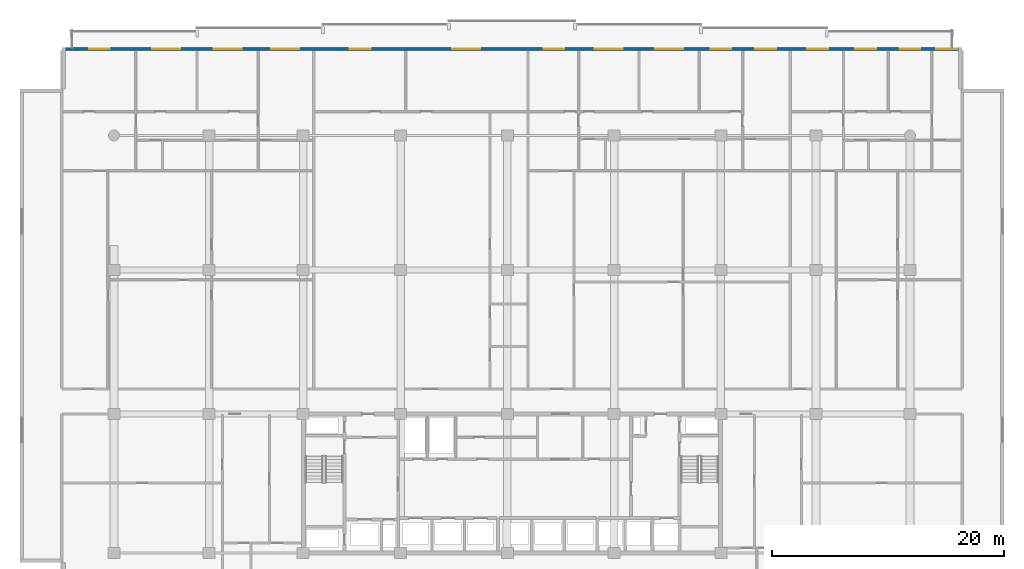
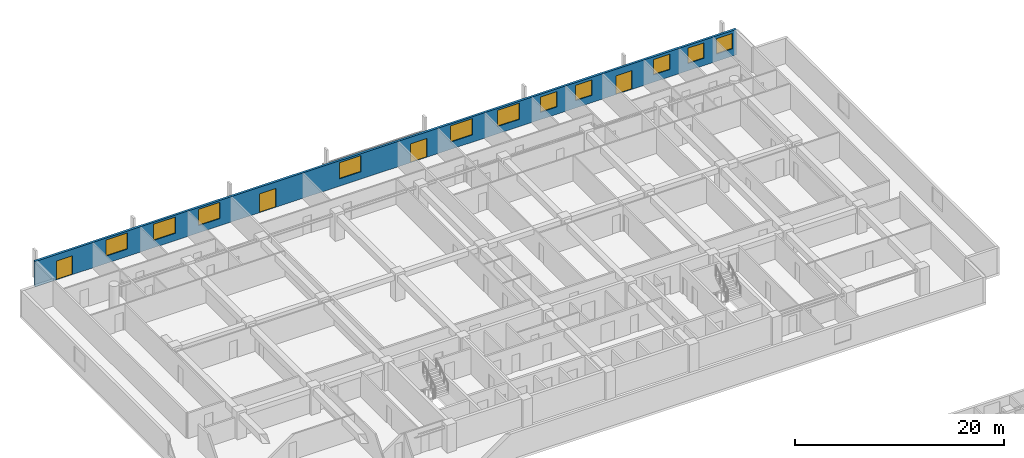
# One storey, part 16 of 23: 11 windows, 4 doors, 1 wall, 15 openings.
"""IFC4 building model written with IfcOpenShell, lengths in metres."""

import ifcopenshell
import ifcopenshell.guid

model = None  # the IFC model being written
_history = None  # IfcOwnerHistory: only IFC2X3 demands one
_inside = {}  # id of a spatial element -> (the spatial element, [elements in it])
_under = {}  # id of a project, library or spatial element -> (it, [spatial elements below it])
_declared = {}  # id of a project -> (the project, [libraries it declares])
_typed = {}  # id of a type object -> (the type object, [elements of that type])
_made_of = {}  # id of a material, layer set ... -> (it, [elements and type objects made of it])


def new_model(schema):
    """Start an empty IFC model of exactly this schema.

    Asked for "IFC4X3", IfcOpenShell would pick the latest addendum, in which some entities
    have other attributes; the version numbers below select the first issue.
    IFC2X3 requires an IfcOwnerHistory on every rooted entity: one is made here for all.
    """
    global model, _history
    if schema == "IFC4X3":
        model = ifcopenshell.file(schema_version=(4, 3, 0, 0))
    else:
        model = ifcopenshell.file(schema=schema)
    _inside.clear()
    _under.clear()
    _declared.clear()
    _typed.clear()
    _made_of.clear()
    _history = None
    if model.schema == "IFC2X3":
        org = make("IfcOrganization", Name="unknown")
        user = make(
            "IfcPersonAndOrganization",
            ThePerson=make("IfcPerson", FamilyName="unknown"),
            TheOrganization=org,
        )
        app = make(
            "IfcApplication",
            ApplicationDeveloper=org,
            Version="unknown",
            ApplicationFullName="unknown",
            ApplicationIdentifier="unknown",
        )
        _history = make(
            "IfcOwnerHistory",
            OwningUser=user,
            OwningApplication=app,
            ChangeAction="ADDED",
            CreationDate=0,
        )
    return model


def make(cls, **values):
    """One entity of the class cls with the attributes given. An attribute that is None is left unset."""
    return model.create_entity(
        cls, **{name: value for name, value in values.items() if value is not None}
    )


def rooted(cls, **values):
    """An entity with a GlobalId (a new one), such as an element, a storey or a relation."""
    return make(cls, GlobalId=ifcopenshell.guid.new(), OwnerHistory=_history, **values)


def si_unit(unit_type, name, prefix=None):
    """IfcSIUnit, for example si_unit("LENGTHUNIT", "METRE", prefix="MILLI")."""
    return make("IfcSIUnit", UnitType=unit_type, Prefix=prefix, Name=name)


def assignment(units):
    """IfcUnitAssignment: the units of a project."""
    return None if units is None else make("IfcUnitAssignment", Units=units)


def point(xyz):
    """IfcCartesianPoint."""
    return None if xyz is None else make("IfcCartesianPoint", Coordinates=xyz)


def direction(xyz):
    """IfcDirection."""
    return None if xyz is None else make("IfcDirection", DirectionRatios=xyz)


def frame(location, z_axis=None, x_axis=None):
    """IfcAxis2Placement3D, a coordinate frame: its origin and axes. An axis left out is left unset."""
    return make(
        "IfcAxis2Placement3D",
        Location=point(location),
        Axis=direction(z_axis),
        RefDirection=direction(x_axis),
    )


def frame_2d(location, x_axis=None):
    """IfcAxis2Placement2D, a coordinate frame in the plane: its origin and x axis."""
    return make(
        "IfcAxis2Placement2D", Location=point(location), RefDirection=direction(x_axis)
    )


def origin():
    """The frame at (0, 0, 0) with its axes left unset."""
    return frame((0.0, 0.0, 0.0))


def place(relative_to, where):
    """IfcLocalPlacement: puts the frame where relative to a parent placement (None: the world)."""
    return make(
        "IfcLocalPlacement", PlacementRelTo=relative_to, RelativePlacement=where
    )


def context(
    kind, dimensions, precision=None, world=None, true_north=None, identifier=None
):
    """IfcGeometricRepresentationContext, for example the 3D "Model" context."""
    return make(
        "IfcGeometricRepresentationContext",
        ContextIdentifier=identifier,
        ContextType=kind,
        CoordinateSpaceDimension=dimensions,
        Precision=precision,
        WorldCoordinateSystem=world,
        TrueNorth=true_north,
    )


def subcontext(parent, identifier, kind, view, scale=None):
    """IfcGeometricRepresentationSubContext, for example "Body" below "Model"."""
    return make(
        "IfcGeometricRepresentationSubContext",
        ContextIdentifier=identifier,
        ContextType=kind,
        ParentContext=parent,
        TargetScale=scale,
        TargetView=view,
    )


def project(units=None, contexts=None):
    """IfcProject with its units and contexts."""
    return rooted(
        "IfcProject",
        Name="project",
        RepresentationContexts=contexts,
        UnitsInContext=assignment(units),
    )


def spatial(cls, under=None, at=None, **own):
    """A site, building, storey or space (cls), placed at a placement, below another one or the project."""
    s = rooted(cls, ObjectPlacement=at, **own)
    if under is not None:
        _under.setdefault(under.id(), (under, []))[1].append(s)
    return s


def profile(cls, at=None, kind="AREA", **sizes):
    """A parametric profile (cls). Its sizes go by their IFC names, for example OverallWidth=200.0."""
    return make(cls, ProfileType=kind, Position=at, **sizes)


def rectangle(**sizes):
    """IfcRectangleProfileDef."""
    return profile("IfcRectangleProfileDef", **sizes)


def extrude(swept, where, along, depth):
    """IfcExtrudedAreaSolid: the profile swept, set in the frame where, extruded along a direction by depth."""
    return make(
        "IfcExtrudedAreaSolid",
        SweptArea=swept,
        Position=where,
        ExtrudedDirection=direction(along),
        Depth=depth,
    )


def shape(context_of_items, identifier, shape_type, items):
    """IfcShapeRepresentation: the items that make up one representation, for example the "Body"."""
    return make(
        "IfcShapeRepresentation",
        ContextOfItems=context_of_items,
        RepresentationIdentifier=identifier,
        RepresentationType=shape_type,
        Items=items,
    )


def material(Name=None, Category=None):
    """IfcMaterial."""
    return make("IfcMaterial", Name=Name, Category=Category)


def layer(
    of_material, thickness, ventilated=None, Name=None, Category=None, Priority=None
):
    """IfcMaterialLayer: one layer of a wall or slab, of a material (None: an air gap)."""
    return make(
        "IfcMaterialLayer",
        Material=of_material,
        LayerThickness=thickness,
        IsVentilated=ventilated,
        Name=Name,
        Category=Category,
        Priority=Priority,
    )


def layer_set(layers, Name=None):
    """IfcMaterialLayerSet."""
    return make("IfcMaterialLayerSet", MaterialLayers=layers, LayerSetName=Name)


def made_of(thing, what):
    """Note that an element or type object is made of a material, layer set ...; save() writes the relation."""
    if what is not None:
        _made_of.setdefault(what.id(), (what, []))[1].append(thing)
    return thing


def type_object(cls, material=None, **own):
    """A type object (cls), such as IfcWallType, which elements share."""
    return made_of(rooted(cls, **own), material)


def element(
    cls,
    number,
    at=None,
    inside=None,
    cuts=None,
    type_object=None,
    material=None,
    context=None,
    identifier="Body",
    shape_type=None,
    held_by="IfcProductDefinitionShape",
    body=None,
    shapes=None,
    **own,
):
    """One element of the class cls, such as IfcWall. Its Tag is "e" and its number.

    at: its placement. inside: the storey or other place that contains it. cuts: it is an
    opening in that element (IfcRelVoidsElement). A single representation is given by context,
    identifier, shape_type and body (its items); several are given by shapes. held_by: the class
    of the entity that holds the representations. save() writes the other relations.
    """
    e = rooted(cls, Tag="e%d" % number, ObjectPlacement=at, **own)
    if body is not None:
        shapes = [shape(context, identifier, shape_type, body)]
    if shapes is not None:
        e.Representation = make(held_by, Representations=shapes)
    if inside is not None:
        _inside.setdefault(inside.id(), (inside, []))[1].append(e)
    if cuts is not None:
        rooted(
            "IfcRelVoidsElement", RelatingBuildingElement=cuts, RelatedOpeningElement=e
        )
    if type_object is not None:
        _typed.setdefault(type_object.id(), (type_object, []))[1].append(e)
    return made_of(e, material)


def fill(opening, filler):
    """IfcRelFillsElement: the door or window that sits in an opening."""
    return rooted(
        "IfcRelFillsElement",
        RelatingOpeningElement=opening,
        RelatedBuildingElement=filler,
    )


def aggregate(whole, parts):
    """IfcRelAggregates: a whole, such as a stair, and the parts it consists of."""
    return rooted("IfcRelAggregates", RelatingObject=whole, RelatedObjects=parts)


def save(model, path):
    """Write the relations noted so far, then the file.

    IfcRelAggregates (storeys below a building ...), IfcRelContainedInSpatialStructure (elements
    in a storey), IfcRelDefinesByType, IfcRelAssociatesMaterial and IfcRelDeclares: one each for
    every whole, place, type object, material and project.
    """
    for whole, parts in _under.values():
        aggregate(whole, parts)
    for where, things in _inside.values():
        rooted(
            "IfcRelContainedInSpatialStructure",
            RelatedElements=things,
            RelatingStructure=where,
        )
    for kind, things in _typed.values():
        rooted("IfcRelDefinesByType", RelatedObjects=things, RelatingType=kind)
    for what, things in _made_of.values():
        rooted("IfcRelAssociatesMaterial", RelatedObjects=things, RelatingMaterial=what)
    for by, libraries in _declared.values():
        rooted("IfcRelDeclares", RelatingContext=by, RelatedDefinitions=libraries)
    model.write(path)


model = new_model("IFC4")

# Units and contexts
model_context = context("Model", 3, precision=1e-05, world=origin(), true_north=direction((0.0, 1.0)))
body_context = subcontext(model_context, "Body", "Model", "MODEL_VIEW")
ifc_project = project(units=[si_unit("LENGTHUNIT", "METRE"), si_unit("AREAUNIT", "SQUARE_METRE"), si_unit("VOLUMEUNIT", "CUBIC_METRE"), si_unit("PLANEANGLEUNIT", "RADIAN"), si_unit("MASSUNIT", "GRAM", prefix="KILO")], contexts=[model_context])

# Site, building, storey
site_placement = place(None, origin())
site = spatial("IfcSite", under=ifc_project, at=site_placement, CompositionType="ELEMENT")
building_placement = place(site_placement, origin())
building = spatial("IfcBuilding", under=site, at=building_placement, Name="Korimba Cascade Residences", CompositionType="ELEMENT")
storey_placement = place(building_placement, frame((0.0, 0.0, 53.25)))
storey = spatial("IfcBuildingStorey", under=building, at=storey_placement, Name="L14", CompositionType="ELEMENT", Elevation=53.25)

# Wall, openings, doors, windows
ifc_material_1 = material(Name="Precast concrete C40/50", Category="concrete")
ifc_layer = layer(ifc_material_1, 0.25)
ifc_layer_set = layer_set([ifc_layer], Name="Precast concrete C40/50")
wall_type = type_object("IfcWallType", Name="EW-LOG-250", PredefinedType="STANDARD", material=ifc_layer_set)
wall_placement = place(storey_placement, frame((132.89990234375, 98.64990234375, 0.0), z_axis=(0.0, 0.0, 1.0), x_axis=(-1.0, 0.0, 0.0)))
wall = element("IfcWall", 1, at=wall_placement, inside=storey, type_object=wall_type, Name="L14 T1 Perimeter Stone Wall E06", PredefinedType="STANDARD", context=body_context, shape_type="SweptSolid", body=[
    extrude(rectangle(XDim=77.599853515625, YDim=0.25, at=frame_2d((38.7998046875, 0.0))), origin(), (0.0, 0.0, 1.0), 2.969970703125),
])
opening_1_placement = place(wall_placement, frame((67.381591796875, 0.0, 0.85009765625)))
opening_1 = element("IfcOpeningElement", 2, at=opening_1_placement, cuts=wall, Name="Opening W-01", PredefinedType="OPENING", context=body_context, shape_type="SweptSolid", body=[
    extrude(rectangle(XDim=2.39990234375, YDim=1.89990234375, at=frame_2d((1.199951171875, 0.949951171875))), frame((0.0, 0.135009765625, 0.0), z_axis=(0.0, -1.0, 0.0), x_axis=(1.0, 0.0, 0.0)), (0.0, 0.0, 1.0), 0.27001953125),
])
opening_2_placement = place(wall_placement, frame((62.10498046875, 0.0, 0.85009765625)))
opening_2 = element("IfcOpeningElement", 3, at=opening_2_placement, cuts=wall, Name="Opening W-01", PredefinedType="OPENING", context=body_context, shape_type="SweptSolid", body=[
    extrude(rectangle(XDim=2.39990234375, YDim=1.89990234375, at=frame_2d((1.199951171875, 0.949951171875))), frame((0.0, 0.135009765625, 0.0), z_axis=(0.0, -1.0, 0.0), x_axis=(1.0, 0.0, 0.0)), (0.0, 0.0, 1.0), 0.27001953125),
])
opening_3_placement = place(wall_placement, frame((73.449951171875, 0.0, 0.0)))
opening_3 = element("IfcOpeningElement", 4, at=opening_3_placement, cuts=wall, Name="Opening D-LG1", PredefinedType="OPENING", context=body_context, shape_type="SweptSolid", body=[
    extrude(rectangle(XDim=1.800048828125, YDim=2.199951171875, at=frame_2d((0.89990234375, 1.10009765625))), frame((0.0, 0.135009765625, 0.0), z_axis=(0.0, -1.0, 0.0), x_axis=(1.0, 0.0, 0.0)), (0.0, 0.0, 1.0), 0.27001953125),
])
opening_4_placement = place(wall_placement, frame((57.1416015625, 0.0, 0.85009765625)))
opening_4 = element("IfcOpeningElement", 5, at=opening_4_placement, cuts=wall, Name="Opening W-01", PredefinedType="OPENING", context=body_context, shape_type="SweptSolid", body=[
    extrude(rectangle(XDim=2.39990234375, YDim=1.89990234375, at=frame_2d((1.199951171875, 0.949951171875))), frame((0.0, 0.135009765625, 0.0), z_axis=(0.0, -1.0, 0.0), x_axis=(1.0, 0.0, 0.0)), (0.0, 0.0, 1.0), 0.27001953125),
])
opening_5_placement = place(wall_placement, frame((50.970703125, 0.0, 0.0)))
opening_5 = element("IfcOpeningElement", 6, at=opening_5_placement, cuts=wall, Name="Opening D-LG1", PredefinedType="OPENING", context=body_context, shape_type="SweptSolid", body=[
    extrude(rectangle(XDim=1.800048828125, YDim=2.199951171875, at=frame_2d((0.89990234375, 1.10009765625))), frame((0.0, 0.135009765625, 0.0), z_axis=(0.0, -1.0, 0.0), x_axis=(1.0, 0.0, 0.0)), (0.0, 0.0, 1.0), 0.27001953125),
])
opening_6_placement = place(wall_placement, frame((41.5537109375, 0.0, 0.85009765625)))
opening_6 = element("IfcOpeningElement", 7, at=opening_6_placement, cuts=wall, Name="Opening W-01", PredefinedType="OPENING", context=body_context, shape_type="SweptSolid", body=[
    extrude(rectangle(XDim=2.39990234375, YDim=1.89990234375, at=frame_2d((1.199951171875, 0.949951171875))), frame((0.0, 0.135009765625, 0.0), z_axis=(0.0, -1.0, 0.0), x_axis=(1.0, 0.0, 0.0)), (0.0, 0.0, 1.0), 0.27001953125),
])
opening_7_placement = place(wall_placement, frame((29.252685546875, 0.0, 0.85009765625)))
opening_7 = element("IfcOpeningElement", 8, at=opening_7_placement, cuts=wall, Name="Opening W-01", PredefinedType="OPENING", context=body_context, shape_type="SweptSolid", body=[
    extrude(rectangle(XDim=2.39990234375, YDim=1.89990234375, at=frame_2d((1.199951171875, 0.949951171875))), frame((0.0, 0.135009765625, 0.0), z_axis=(0.0, -1.0, 0.0), x_axis=(1.0, 0.0, 0.0)), (0.0, 0.0, 1.0), 0.27001953125),
])
opening_8_placement = place(wall_placement, frame((24.052734375, 0.0, 0.85009765625)))
opening_8 = element("IfcOpeningElement", 9, at=opening_8_placement, cuts=wall, Name="Opening W-01", PredefinedType="OPENING", context=body_context, shape_type="SweptSolid", body=[
    extrude(rectangle(XDim=2.39990234375, YDim=1.89990234375, at=frame_2d((1.199951171875, 0.949951171875))), frame((0.0, 0.135009765625, 0.0), z_axis=(0.0, -1.0, 0.0), x_axis=(1.0, 0.0, 0.0)), (0.0, 0.0, 1.0), 0.27001953125),
])
opening_9_placement = place(wall_placement, frame((19.88623046875, 0.0, 0.85009765625)))
opening_9 = element("IfcOpeningElement", 10, at=opening_9_placement, cuts=wall, Name="Opening W-02", PredefinedType="OPENING", context=body_context, shape_type="SweptSolid", body=[
    extrude(rectangle(XDim=1.800048828125, YDim=1.800048828125, at=frame_2d((0.89990234375, 0.89990234375))), frame((0.0, 0.135009765625, 0.0), z_axis=(0.0, -1.0, 0.0), x_axis=(1.0, 0.0, 0.0)), (0.0, 0.0, 1.0), 0.27001953125),
])
opening_10_placement = place(wall_placement, frame((34.277587890625, 0.0, 0.0)))
opening_10 = element("IfcOpeningElement", 11, at=opening_10_placement, cuts=wall, Name="Opening D-LG1", PredefinedType="OPENING", context=body_context, shape_type="SweptSolid", body=[
    extrude(rectangle(XDim=1.800048828125, YDim=2.199951171875, at=frame_2d((0.89990234375, 1.10009765625))), frame((0.0, 0.135009765625, 0.0), z_axis=(0.0, -1.0, 0.0), x_axis=(1.0, 0.0, 0.0)), (0.0, 0.0, 1.0), 0.27001953125),
])
opening_11_placement = place(wall_placement, frame((16.0283203125, 0.0, 0.85009765625)))
opening_11 = element("IfcOpeningElement", 12, at=opening_11_placement, cuts=wall, Name="Opening W-02", PredefinedType="OPENING", context=body_context, shape_type="SweptSolid", body=[
    extrude(rectangle(XDim=1.800048828125, YDim=1.800048828125, at=frame_2d((0.89990234375, 0.89990234375))), frame((0.0, 0.135009765625, 0.0), z_axis=(0.0, -1.0, 0.0), x_axis=(1.0, 0.0, 0.0)), (0.0, 0.0, 1.0), 0.27001953125),
])
opening_12_placement = place(wall_placement, frame((7.408447265625, 0.0, 0.85009765625)))
opening_12 = element("IfcOpeningElement", 13, at=opening_12_placement, cuts=wall, Name="Opening W-02", PredefinedType="OPENING", context=body_context, shape_type="SweptSolid", body=[
    extrude(rectangle(XDim=1.800048828125, YDim=1.800048828125, at=frame_2d((0.89990234375, 0.89990234375))), frame((0.0, 0.135009765625, 0.0), z_axis=(0.0, -1.0, 0.0), x_axis=(1.0, 0.0, 0.0)), (0.0, 0.0, 1.0), 0.27001953125),
])
opening_13_placement = place(wall_placement, frame((3.60009765625, 0.0, 0.85009765625)))
opening_13 = element("IfcOpeningElement", 14, at=opening_13_placement, cuts=wall, Name="Opening W-02", PredefinedType="OPENING", context=body_context, shape_type="SweptSolid", body=[
    extrude(rectangle(XDim=1.800048828125, YDim=1.800048828125, at=frame_2d((0.89990234375, 0.89990234375))), frame((0.0, 0.135009765625, 0.0), z_axis=(0.0, -1.0, 0.0), x_axis=(1.0, 0.0, 0.0)), (0.0, 0.0, 1.0), 0.27001953125),
])
opening_14_placement = place(wall_placement, frame((11.56689453125, 0.0, 0.0)))
opening_14 = element("IfcOpeningElement", 15, at=opening_14_placement, cuts=wall, Name="Opening D-LG1", PredefinedType="OPENING", context=body_context, shape_type="SweptSolid", body=[
    extrude(rectangle(XDim=1.800048828125, YDim=2.199951171875, at=frame_2d((0.89990234375, 1.10009765625))), frame((0.0, 0.135009765625, 0.0), z_axis=(0.0, -1.0, 0.0), x_axis=(1.0, 0.0, 0.0)), (0.0, 0.0, 1.0), 0.27001953125),
])
opening_15_placement = place(wall_placement, frame((0.445068359375, 0.0, 0.85009765625)))
opening_15 = element("IfcOpeningElement", 16, at=opening_15_placement, cuts=wall, Name="Opening W-02", PredefinedType="OPENING", context=body_context, shape_type="SweptSolid", body=[
    extrude(rectangle(XDim=1.800048828125, YDim=1.800048828125, at=frame_2d((0.89990234375, 0.89990234375))), frame((0.0, 0.135009765625, 0.0), z_axis=(0.0, -1.0, 0.0), x_axis=(1.0, 0.0, 0.0)), (0.0, 0.0, 1.0), 0.27001953125),
])
ifc_material_2 = material(Name="Glazed Aluminium Loggia Sliding Door", Category="aluminium")
door_type = type_object("IfcDoorType", Name="DR-EXT-LOG", OperationType="NOTDEFINED", PredefinedType="DOOR", material=ifc_material_2)
door_1_placement = place(opening_3_placement, origin())
door_1 = element("IfcDoor", 17, at=door_1_placement, inside=storey, type_object=door_type, Name="L14 T1 Loggia Sliding Door 5", OperationType="SLIDING_TO_LEFT", OverallHeight=2.199951171875, OverallWidth=1.800048828125, PredefinedType="DOOR", context=body_context, shape_type="SweptSolid", body=[
    extrude(rectangle(XDim=1.800048828125, YDim=2.199951171875, at=frame_2d((0.89990234375, 1.10009765625))), frame((0.0, 0.02490234375, 0.0), z_axis=(0.0, -1.0, 0.0), x_axis=(1.0, 0.0, 0.0)), (0.0, 0.0, 1.0), 0.050048828125),
])
fill(opening_3, door_1)
door_2_placement = place(opening_5_placement, origin())
door_2 = element("IfcDoor", 18, at=door_2_placement, inside=storey, type_object=door_type, Name="L14 T1 Loggia Sliding Door 7", OperationType="SLIDING_TO_LEFT", OverallHeight=2.199951171875, OverallWidth=1.800048828125, PredefinedType="DOOR", context=body_context, shape_type="SweptSolid", body=[
    extrude(rectangle(XDim=1.800048828125, YDim=2.199951171875, at=frame_2d((0.89990234375, 1.10009765625))), frame((0.0, 0.02490234375, 0.0), z_axis=(0.0, -1.0, 0.0), x_axis=(1.0, 0.0, 0.0)), (0.0, 0.0, 1.0), 0.050048828125),
])
fill(opening_5, door_2)
door_3_placement = place(opening_10_placement, origin())
door_3 = element("IfcDoor", 19, at=door_3_placement, inside=storey, type_object=door_type, Name="L14 T1 Loggia Sliding Door 12", OperationType="SLIDING_TO_LEFT", OverallHeight=2.199951171875, OverallWidth=1.800048828125, PredefinedType="DOOR", context=body_context, shape_type="SweptSolid", body=[
    extrude(rectangle(XDim=1.800048828125, YDim=2.199951171875, at=frame_2d((0.89990234375, 1.10009765625))), frame((0.0, 0.02490234375, 0.0), z_axis=(0.0, -1.0, 0.0), x_axis=(1.0, 0.0, 0.0)), (0.0, 0.0, 1.0), 0.050048828125),
])
fill(opening_10, door_3)
door_4_placement = place(opening_14_placement, origin())
door_4 = element("IfcDoor", 20, at=door_4_placement, inside=storey, type_object=door_type, Name="L14 T1 Loggia Sliding Door 16", OperationType="SLIDING_TO_LEFT", OverallHeight=2.199951171875, OverallWidth=1.800048828125, PredefinedType="DOOR", context=body_context, shape_type="SweptSolid", body=[
    extrude(rectangle(XDim=1.800048828125, YDim=2.199951171875, at=frame_2d((0.89990234375, 1.10009765625))), frame((0.0, 0.02490234375, 0.0), z_axis=(0.0, -1.0, 0.0), x_axis=(1.0, 0.0, 0.0)), (0.0, 0.0, 1.0), 0.050048828125),
])
fill(opening_14, door_4)
ifc_material_3 = material(Name="Double-Glazed Aluminium Window", Category="aluminium")
window_type_1 = type_object("IfcWindowType", Name="WIN-BED-1800", PartitioningType="SINGLE_PANEL", PredefinedType="WINDOW", material=ifc_material_3)
window_1_placement = place(opening_9_placement, origin())
window_1 = element("IfcWindow", 21, at=window_1_placement, inside=storey, type_object=window_type_1, Name="L14 T1 North Facade Window 11", OverallHeight=1.800048828125, OverallWidth=1.800048828125, PartitioningType="SINGLE_PANEL", PredefinedType="WINDOW", context=body_context, shape_type="SweptSolid", body=[
    extrude(rectangle(XDim=1.800048828125, YDim=1.800048828125, at=frame_2d((0.89990234375, 0.89990234375))), frame((0.0, 0.030029296875, 0.0), z_axis=(0.0, -1.0, 0.0), x_axis=(1.0, 0.0, 0.0)), (0.0, 0.0, 1.0), 0.06005859375),
])
fill(opening_9, window_1)
window_2_placement = place(opening_11_placement, origin())
window_2 = element("IfcWindow", 22, at=window_2_placement, inside=storey, type_object=window_type_1, Name="L14 T1 North Facade Window 13", OverallHeight=1.800048828125, OverallWidth=1.800048828125, PartitioningType="SINGLE_PANEL", PredefinedType="WINDOW", context=body_context, shape_type="SweptSolid", body=[
    extrude(rectangle(XDim=1.800048828125, YDim=1.800048828125, at=frame_2d((0.89990234375, 0.89990234375))), frame((0.0, 0.030029296875, 0.0), z_axis=(0.0, -1.0, 0.0), x_axis=(1.0, 0.0, 0.0)), (0.0, 0.0, 1.0), 0.06005859375),
])
fill(opening_11, window_2)
window_3_placement = place(opening_12_placement, origin())
window_3 = element("IfcWindow", 23, at=window_3_placement, inside=storey, type_object=window_type_1, Name="L14 T1 North Facade Window 14", OverallHeight=1.800048828125, OverallWidth=1.800048828125, PartitioningType="SINGLE_PANEL", PredefinedType="WINDOW", context=body_context, shape_type="SweptSolid", body=[
    extrude(rectangle(XDim=1.800048828125, YDim=1.800048828125, at=frame_2d((0.89990234375, 0.89990234375))), frame((0.0, 0.030029296875, 0.0), z_axis=(0.0, -1.0, 0.0), x_axis=(1.0, 0.0, 0.0)), (0.0, 0.0, 1.0), 0.06005859375),
])
fill(opening_12, window_3)
window_4_placement = place(opening_13_placement, origin())
window_4 = element("IfcWindow", 24, at=window_4_placement, inside=storey, type_object=window_type_1, Name="L14 T1 North Facade Window 15", OverallHeight=1.800048828125, OverallWidth=1.800048828125, PartitioningType="SINGLE_PANEL", PredefinedType="WINDOW", context=body_context, shape_type="SweptSolid", body=[
    extrude(rectangle(XDim=1.800048828125, YDim=1.800048828125, at=frame_2d((0.89990234375, 0.89990234375))), frame((0.0, 0.030029296875, 0.0), z_axis=(0.0, -1.0, 0.0), x_axis=(1.0, 0.0, 0.0)), (0.0, 0.0, 1.0), 0.06005859375),
])
fill(opening_13, window_4)
window_5_placement = place(opening_15_placement, origin())
window_5 = element("IfcWindow", 25, at=window_5_placement, inside=storey, type_object=window_type_1, Name="L14 T1 North Facade Window 17", OverallHeight=1.800048828125, OverallWidth=1.800048828125, PartitioningType="SINGLE_PANEL", PredefinedType="WINDOW", context=body_context, shape_type="SweptSolid", body=[
    extrude(rectangle(XDim=1.800048828125, YDim=1.800048828125, at=frame_2d((0.89990234375, 0.89990234375))), frame((0.0, 0.030029296875, 0.0), z_axis=(0.0, -1.0, 0.0), x_axis=(1.0, 0.0, 0.0)), (0.0, 0.0, 1.0), 0.06005859375),
])
fill(opening_15, window_5)
window_type_2 = type_object("IfcWindowType", Name="WIN-RES-2400", PartitioningType="DOUBLE_PANEL_VERTICAL", PredefinedType="WINDOW", material=ifc_material_3)
window_6_placement = place(opening_1_placement, origin())
window_6 = element("IfcWindow", 26, at=window_6_placement, inside=storey, type_object=window_type_2, Name="L14 T1 North Facade Window 3", OverallHeight=1.89990234375, OverallWidth=2.39990234375, PartitioningType="DOUBLE_PANEL_VERTICAL", PredefinedType="WINDOW", context=body_context, shape_type="SweptSolid", body=[
    extrude(rectangle(XDim=2.39990234375, YDim=1.89990234375, at=frame_2d((1.199951171875, 0.949951171875))), frame((0.0, 0.030029296875, 0.0), z_axis=(0.0, -1.0, 0.0), x_axis=(1.0, 0.0, 0.0)), (0.0, 0.0, 1.0), 0.06005859375),
])
fill(opening_1, window_6)
window_7_placement = place(opening_2_placement, origin())
window_7 = element("IfcWindow", 27, at=window_7_placement, inside=storey, type_object=window_type_2, Name="L14 T1 North Facade Window 4", OverallHeight=1.89990234375, OverallWidth=2.39990234375, PartitioningType="DOUBLE_PANEL_VERTICAL", PredefinedType="WINDOW", context=body_context, shape_type="SweptSolid", body=[
    extrude(rectangle(XDim=2.39990234375, YDim=1.89990234375, at=frame_2d((1.199951171875, 0.949951171875))), frame((0.0, 0.030029296875, 0.0), z_axis=(0.0, -1.0, 0.0), x_axis=(1.0, 0.0, 0.0)), (0.0, 0.0, 1.0), 0.06005859375),
])
fill(opening_2, window_7)
window_8_placement = place(opening_4_placement, origin())
window_8 = element("IfcWindow", 28, at=window_8_placement, inside=storey, type_object=window_type_2, Name="L14 T1 North Facade Window 6", OverallHeight=1.89990234375, OverallWidth=2.39990234375, PartitioningType="DOUBLE_PANEL_VERTICAL", PredefinedType="WINDOW", context=body_context, shape_type="SweptSolid", body=[
    extrude(rectangle(XDim=2.39990234375, YDim=1.89990234375, at=frame_2d((1.199951171875, 0.949951171875))), frame((0.0, 0.030029296875, 0.0), z_axis=(0.0, -1.0, 0.0), x_axis=(1.0, 0.0, 0.0)), (0.0, 0.0, 1.0), 0.06005859375),
])
fill(opening_4, window_8)
window_9_placement = place(opening_6_placement, origin())
window_9 = element("IfcWindow", 29, at=window_9_placement, inside=storey, type_object=window_type_2, Name="L14 T1 North Facade Window 8", OverallHeight=1.89990234375, OverallWidth=2.39990234375, PartitioningType="DOUBLE_PANEL_VERTICAL", PredefinedType="WINDOW", context=body_context, shape_type="SweptSolid", body=[
    extrude(rectangle(XDim=2.39990234375, YDim=1.89990234375, at=frame_2d((1.199951171875, 0.949951171875))), frame((0.0, 0.030029296875, 0.0), z_axis=(0.0, -1.0, 0.0), x_axis=(1.0, 0.0, 0.0)), (0.0, 0.0, 1.0), 0.06005859375),
])
fill(opening_6, window_9)
window_10_placement = place(opening_7_placement, origin())
window_10 = element("IfcWindow", 30, at=window_10_placement, inside=storey, type_object=window_type_2, Name="L14 T1 North Facade Window 9", OverallHeight=1.89990234375, OverallWidth=2.39990234375, PartitioningType="DOUBLE_PANEL_VERTICAL", PredefinedType="WINDOW", context=body_context, shape_type="SweptSolid", body=[
    extrude(rectangle(XDim=2.39990234375, YDim=1.89990234375, at=frame_2d((1.199951171875, 0.949951171875))), frame((0.0, 0.030029296875, 0.0), z_axis=(0.0, -1.0, 0.0), x_axis=(1.0, 0.0, 0.0)), (0.0, 0.0, 1.0), 0.06005859375),
])
fill(opening_7, window_10)
window_11_placement = place(opening_8_placement, origin())
window_11 = element("IfcWindow", 31, at=window_11_placement, inside=storey, type_object=window_type_2, Name="L14 T1 North Facade Window 10", OverallHeight=1.89990234375, OverallWidth=2.39990234375, PartitioningType="DOUBLE_PANEL_VERTICAL", PredefinedType="WINDOW", context=body_context, shape_type="SweptSolid", body=[
    extrude(rectangle(XDim=2.39990234375, YDim=1.89990234375, at=frame_2d((1.199951171875, 0.949951171875))), frame((0.0, 0.030029296875, 0.0), z_axis=(0.0, -1.0, 0.0), x_axis=(1.0, 0.0, 0.0)), (0.0, 0.0, 1.0), 0.06005859375),
])
fill(opening_8, window_11)

save(model, "model.ifc")
